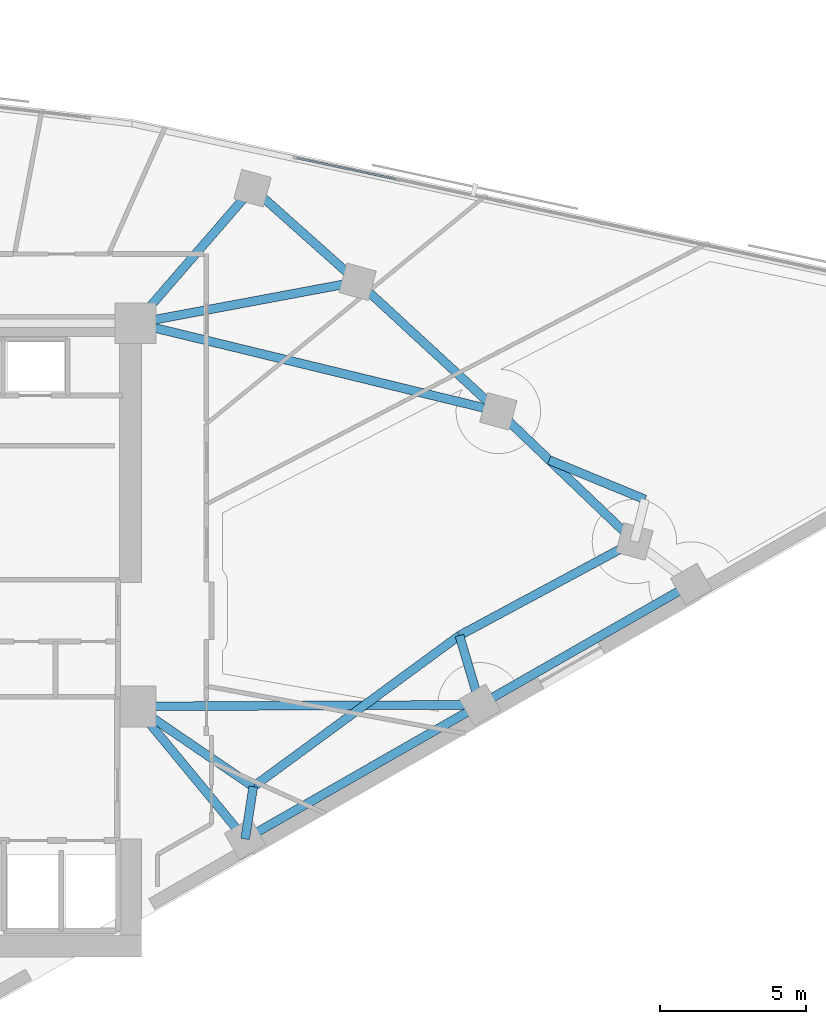
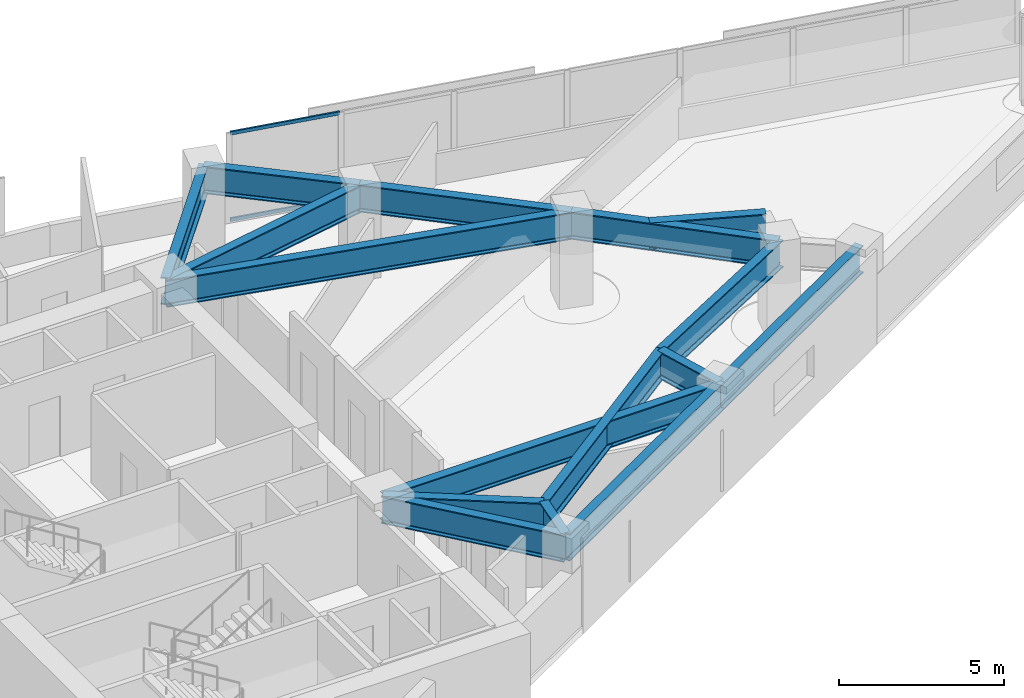
# One storey, part 3 of 13: 16 beams, 2 members, 1 element without a shape of its own.
"""IFC4 building model written with IfcOpenShell, lengths in metres."""

from ifc_helpers import new_model, si_unit, direction, frame, origin, origin_2d, place, context, subcontext, project, spatial, hollow_rectangle, i_section, extrude, material, material_profile, profile_set, type_object, element, aggregate, save


model = new_model("IFC4")

# Units and contexts
model_context = context("Model", 3, precision=1e-05, world=origin(), true_north=direction((0.0, 1.0)))
body_context = subcontext(model_context, "Body", "Model", "MODEL_VIEW")
ifc_project = project(units=[si_unit("LENGTHUNIT", "METRE"), si_unit("AREAUNIT", "SQUARE_METRE"), si_unit("VOLUMEUNIT", "CUBIC_METRE"), si_unit("PLANEANGLEUNIT", "RADIAN"), si_unit("MASSUNIT", "GRAM", prefix="KILO")], contexts=[model_context])

# Site, building, storey
site_placement = place(None, origin())
site = spatial("IfcSite", under=ifc_project, at=site_placement, CompositionType="ELEMENT")
building_placement = place(site_placement, origin())
building = spatial("IfcBuilding", under=site, at=building_placement, Name="Narakoshi Arena Tower", CompositionType="ELEMENT")
storey_placement = place(building_placement, frame((0.0, 0.0, 229.06005859375)))
storey = spatial("IfcBuildingStorey", under=building, at=storey_placement, Name="L62", CompositionType="ELEMENT", Elevation=229.06005859375)

# Beams
ifc_material_1 = material(Name="Structural steel S460ML", Category="steel")
ifc_material_profile_1 = material_profile(ifc_material_1, i_section(OverallWidth=0.302001953125, OverallDepth=1.008056640625, WebThickness=0.02099609375, FlangeThickness=0.0400390625, FilletRadius=0.030029296875, at=origin_2d()), Name="HE1000M")
ifc_profile_set_1 = profile_set([ifc_material_profile_1], Name="Structural steel S460ML")
beam_type = type_object("IfcBeamType", Name="BM-XFER-1000", PredefinedType="BEAM", material=ifc_profile_set_1)
beam_1_placement = place(storey_placement, frame((89.30810546875, 38.798583984375, 2.755859375), z_axis=(0.868201055882, 0.496212582031, 0.0), x_axis=(-0.496212582031, 0.868201055882, 0.0)))
element("IfcBeam", 1, at=beam_1_placement, inside=storey, type_object=beam_type, Name="L62 Perimeter Transfer Ring Girder 01", PredefinedType="BEAM", context=body_context, shape_type="SweptSolid", body=[
    extrude(i_section(OverallWidth=0.302001953125, OverallDepth=1.008056640625, WebThickness=0.02099609375, FlangeThickness=0.0400390625, FilletRadius=0.030029296875, at=origin_2d()), origin(), (0.0, 0.0, 1.0), 9.2822265625),
])
beam_2_placement = place(storey_placement, frame((97.366943359375, 43.404541015625, 2.755859375), z_axis=(0.868192782093, 0.49622705803, 0.0), x_axis=(-0.49622705803, 0.868192782093, 0.0)))
element("IfcBeam", 2, at=beam_2_placement, inside=storey, type_object=beam_type, Name="L62 Perimeter Transfer Ring Girder 02", PredefinedType="BEAM", context=body_context, shape_type="SweptSolid", body=[
    extrude(i_section(OverallWidth=0.302001953125, OverallDepth=1.008056640625, WebThickness=0.02099609375, FlangeThickness=0.0400390625, FilletRadius=0.030029296875, at=origin_2d()), origin(), (0.0, 0.0, 1.0), 8.35400390625),
])
beam_3_placement = place(storey_placement, frame((102.668701171875, 49.009521484375, 2.755859375), z_axis=(-0.722814960544, 0.691041628858, 0.0), x_axis=(-0.691041628858, -0.722814960544, 0.0)))
element("IfcBeam", 3, at=beam_3_placement, inside=storey, type_object=beam_type, Name="L62 Perimeter Transfer Ring Girder 04", PredefinedType="BEAM", context=body_context, shape_type="SweptSolid", body=[
    extrude(i_section(OverallWidth=0.302001953125, OverallDepth=1.008056640625, WebThickness=0.02099609375, FlangeThickness=0.0400390625, FilletRadius=0.030029296875, at=origin_2d()), origin(), (0.0, 0.0, 1.0), 6.462158203125),
])
beam_4_placement = place(storey_placement, frame((97.997802734375, 53.47509765625, 2.755859375), z_axis=(-0.735632357906, 0.677381010954, 0.0), x_axis=(-0.677381010954, -0.735632357906, 0.0)))
element("IfcBeam", 4, at=beam_4_placement, inside=storey, type_object=beam_type, Name="L62 Perimeter Transfer Ring Girder 05", PredefinedType="BEAM", context=body_context, shape_type="SweptSolid", body=[
    extrude(i_section(OverallWidth=0.302001953125, OverallDepth=1.008056640625, WebThickness=0.02099609375, FlangeThickness=0.0400390625, FilletRadius=0.030029296875, at=origin_2d()), origin(), (0.0, 0.0, 1.0), 6.567626953125),
])
beam_5_placement = place(storey_placement, frame((93.16650390625, 57.923828125, 2.755859375), z_axis=(-0.746739302131, 0.665116842857, 0.0), x_axis=(-0.665116842857, -0.746739302131, 0.0)))
element("IfcBeam", 5, at=beam_5_placement, inside=storey, type_object=beam_type, Name="L62 Perimeter Transfer Ring Girder 06", PredefinedType="BEAM", context=body_context, shape_type="SweptSolid", body=[
    extrude(i_section(OverallWidth=0.302001953125, OverallDepth=1.008056640625, WebThickness=0.02099609375, FlangeThickness=0.0400390625, FilletRadius=0.030029296875, at=origin_2d()), origin(), (0.0, 0.0, 1.0), 4.82763671875),
])
beam_6_placement = place(storey_placement, frame((85.550048828125, 43.35009765625, 2.755859375), z_axis=(0.63669116064, -0.771118905204, 0.0), x_axis=(0.771118905204, 0.63669116064, 0.0)))
element("IfcBeam", 6, at=beam_6_placement, inside=storey, type_object=beam_type, Name="L62 Lower Transfer Radial Girder 01", PredefinedType="BEAM", context=body_context, shape_type="SweptSolid", body=[
    extrude(i_section(OverallWidth=0.302001953125, OverallDepth=1.008056640625, WebThickness=0.02099609375, FlangeThickness=0.0400390625, FilletRadius=0.030029296875, at=origin_2d()), origin(), (0.0, 0.0, 1.0), 5.902587890625),
])
beam_7_placement = place(storey_placement, frame((85.550048828125, 43.35009765625, 2.755859375), z_axis=(0.999989386804, 0.004607198737, 0.0), x_axis=(-0.004607198737, 0.999989386804, 0.0)))
element("IfcBeam", 7, at=beam_7_placement, inside=storey, type_object=beam_type, Name="L62 Lower Transfer Radial Girder 02", PredefinedType="BEAM", context=body_context, shape_type="SweptSolid", body=[
    extrude(i_section(OverallWidth=0.302001953125, OverallDepth=1.008056640625, WebThickness=0.02099609375, FlangeThickness=0.0400390625, FilletRadius=0.030029296875, at=origin_2d()), origin(), (0.0, 0.0, 1.0), 11.817138671875),
])
beam_8_placement = place(storey_placement, frame((85.550048828125, 56.5, 2.755859375), z_axis=(0.982971563011, 0.183757738099, 0.0), x_axis=(-0.183757738099, 0.982971563011, 0.0)))
element("IfcBeam", 8, at=beam_8_placement, inside=storey, type_object=beam_type, Name="L62 Lower Transfer Radial Girder 06", PredefinedType="BEAM", context=body_context, shape_type="SweptSolid", body=[
    extrude(i_section(OverallWidth=0.302001953125, OverallDepth=1.008056640625, WebThickness=0.02099609375, FlangeThickness=0.0400390625, FilletRadius=0.030029296875, at=origin_2d()), origin(), (0.0, 0.0, 1.0), 7.748291015625),
])
beam_9_placement = place(storey_placement, frame((85.550048828125, 56.5, 2.755859375), z_axis=(0.654434553487, 0.756118651537, 0.0), x_axis=(-0.756118651537, 0.654434553487, 0.0)))
element("IfcBeam", 9, at=beam_9_placement, inside=storey, type_object=beam_type, Name="L62 Lower Transfer Radial Girder 07", PredefinedType="BEAM", context=body_context, shape_type="SweptSolid", body=[
    extrude(i_section(OverallWidth=0.302001953125, OverallDepth=1.008056640625, WebThickness=0.02099609375, FlangeThickness=0.0400390625, FilletRadius=0.030029296875, at=origin_2d()), origin(), (0.0, 0.0, 1.0), 6.129638671875),
])
beam_10_placement = place(storey_placement, frame((89.30810546875, 38.798583984375, 2.755859375), z_axis=(0.153147340533, 0.988203365754, 0.0), x_axis=(-0.988203365754, 0.153147340533, 0.0)))
element("IfcBeam", 10, at=beam_10_placement, inside=storey, type_object=beam_type, Name="L62 Block-Turn Transfer Node Girder 01-1", PredefinedType="BEAM", context=body_context, shape_type="SweptSolid", body=[
    extrude(i_section(OverallWidth=0.302001953125, OverallDepth=1.008056640625, WebThickness=0.02099609375, FlangeThickness=0.0400390625, FilletRadius=0.030029296875, at=origin_2d()), origin(), (0.0, 0.0, 1.0), 1.8173828125),
])
beam_11_placement = place(storey_placement, frame((85.550048828125, 43.35009765625, 2.755859375), z_axis=(0.825890057955, -0.563831191201, 0.0), x_axis=(0.563831191201, 0.825890057955, 0.0)))
element("IfcBeam", 11, at=beam_11_placement, inside=storey, type_object=beam_type, Name="L62 Block-Turn Transfer Node Girder 01-2", PredefinedType="BEAM", context=body_context, shape_type="SweptSolid", body=[
    extrude(i_section(OverallWidth=0.302001953125, OverallDepth=1.008056640625, WebThickness=0.02099609375, FlangeThickness=0.0400390625, FilletRadius=0.030029296875, at=origin_2d()), origin(), (0.0, 0.0, 1.0), 4.88720703125),
])
beam_12_placement = place(storey_placement, frame((97.366943359375, 43.404541015625, 2.755859375), z_axis=(-0.283625892674, 0.958935009792, 0.0), x_axis=(-0.958935009792, -0.283625892674, 0.0)))
element("IfcBeam", 12, at=beam_12_placement, inside=storey, type_object=beam_type, Name="L62 Block-Turn Transfer Node Girder 02-1", PredefinedType="BEAM", context=body_context, shape_type="SweptSolid", body=[
    extrude(i_section(OverallWidth=0.302001953125, OverallDepth=1.008056640625, WebThickness=0.02099609375, FlangeThickness=0.0400390625, FilletRadius=0.030029296875, at=origin_2d()), origin(), (0.0, 0.0, 1.0), 2.480712890625),
])
beam_13_placement = place(storey_placement, frame((102.668701171875, 49.009521484375, 2.755859375), z_axis=(-0.880935264236, -0.473236790862, 0.0), x_axis=(0.473236790862, -0.880935264236, 0.0)))
element("IfcBeam", 13, at=beam_13_placement, inside=storey, type_object=beam_type, Name="L62 Block-Turn Transfer Node Girder 02-2", PredefinedType="BEAM", context=body_context, shape_type="SweptSolid", body=[
    extrude(i_section(OverallWidth=0.302001953125, OverallDepth=1.008056640625, WebThickness=0.02099609375, FlangeThickness=0.0400390625, FilletRadius=0.030029296875, at=origin_2d()), origin(), (0.0, 0.0, 1.0), 6.817138671875),
])
beam_14_placement = place(storey_placement, frame((89.58642578125, 40.594482421875, 2.755859375), z_axis=(0.806446564509, 0.591306974922, 0.0), x_axis=(-0.591306974922, 0.806446564509, 0.0)))
element("IfcBeam", 14, at=beam_14_placement, inside=storey, type_object=beam_type, Name="L62 Upper-Block Transfer Ring Girder 01", PredefinedType="BEAM", context=body_context, shape_type="SweptSolid", body=[
    extrude(i_section(OverallWidth=0.302001953125, OverallDepth=1.008056640625, WebThickness=0.02099609375, FlangeThickness=0.0400390625, FilletRadius=0.030029296875, at=origin_2d()), origin(), (0.0, 0.0, 1.0), 8.775390625),
])
beam_15_placement = place(storey_placement, frame((103.032470703125, 50.45361328125, 2.755859375), z_axis=(-0.924787502584, 0.380484001063, 0.0), x_axis=(-0.380484001063, -0.924787502584, 0.0)))
element("IfcBeam", 15, at=beam_15_placement, inside=storey, type_object=beam_type, Name="L62 Upper-Block Transfer Ring Girder 03", PredefinedType="BEAM", context=body_context, shape_type="SweptSolid", body=[
    extrude(i_section(OverallWidth=0.302001953125, OverallDepth=1.008056640625, WebThickness=0.02099609375, FlangeThickness=0.0400390625, FilletRadius=0.030029296875, at=origin_2d()), origin(), (0.0, 0.0, 1.0), 3.557373046875),
])
beam_16_placement = place(storey_placement, frame((85.550048828125, 56.5, 2.755859375), z_axis=(0.971720101952, -0.236135646318, 0.0), x_axis=(0.236135646318, 0.971720101952, 0.0)))
element("IfcBeam", 16, at=beam_16_placement, inside=storey, type_object=beam_type, Name="L62 Radial Primary Floor Girder 05", PredefinedType="BEAM", context=body_context, shape_type="SweptSolid", body=[
    extrude(i_section(OverallWidth=0.302001953125, OverallDepth=1.008056640625, WebThickness=0.02099609375, FlangeThickness=0.0400390625, FilletRadius=0.030029296875, at=origin_2d()), origin(), (0.0, 0.0, 1.0), 12.81005859375),
])

# Curtain wall, members
ifc_material_2 = material(Name="Anodised bronze aluminium 6063-T6", Category="aluminium")
curtain_wall_type = type_object("IfcCurtainWallType", Name="CW-HYP-MID", PredefinedType="NOTDEFINED", material=ifc_material_2)
curtain_wall_placement = place(storey_placement, origin())
curtain_wall = element("IfcCurtainWall", 17, at=curtain_wall_placement, inside=storey, type_object=curtain_wall_type, Name="L62 Folded Hypotenuse Curtain Wall 1-1", PredefinedType="NOTDEFINED")
ifc_material_profile_2 = material_profile(ifc_material_2, hollow_rectangle(XDim=0.06494140625, YDim=0.1298828125, WallThickness=0.00390625, OuterFilletRadius=0.0048828125, at=origin_2d()), Name="TRN130x65x4")
ifc_profile_set_2 = profile_set([ifc_material_profile_2], Name="Anodised bronze aluminium 6063-T6")
member_type = type_object("IfcMemberType", Name="MEM-TRN-130", PredefinedType="USERDEFINED", material=ifc_profile_set_2)
member_1_placement = place(storey_placement, frame((94.4892578125, 61.442138671875, 0.032470703125), z_axis=(-0.977945872942, 0.208858491797, 0.0), x_axis=(-0.208858491797, -0.977945872942, 0.0)))
member_1 = element("IfcMember", 18, at=member_1_placement, type_object=member_type, Name="CW-02 transom 7.1", ObjectType="TRANSOM", PredefinedType="USERDEFINED", context=body_context, shape_type="SweptSolid", body=[
    extrude(hollow_rectangle(XDim=0.06494140625, YDim=0.1298828125, WallThickness=0.00390625, OuterFilletRadius=0.0048828125, at=origin_2d()), origin(), (0.0, 0.0, 1.0), 3.48095703125),
])
member_2_placement = place(storey_placement, frame((94.4892578125, 61.442138671875, 3.2275390625), z_axis=(-0.977945872942, 0.208858491797, 0.0), x_axis=(-0.208858491797, -0.977945872942, 0.0)))
member_2 = element("IfcMember", 19, at=member_2_placement, type_object=member_type, Name="CW-02 transom 7.2", ObjectType="TRANSOM", PredefinedType="USERDEFINED", context=body_context, shape_type="SweptSolid", body=[
    extrude(hollow_rectangle(XDim=0.06494140625, YDim=0.1298828125, WallThickness=0.00390625, OuterFilletRadius=0.0048828125, at=origin_2d()), origin(), (0.0, 0.0, 1.0), 3.48095703125),
])
aggregate(curtain_wall, [member_1, member_2])

save(model, "model.ifc")
